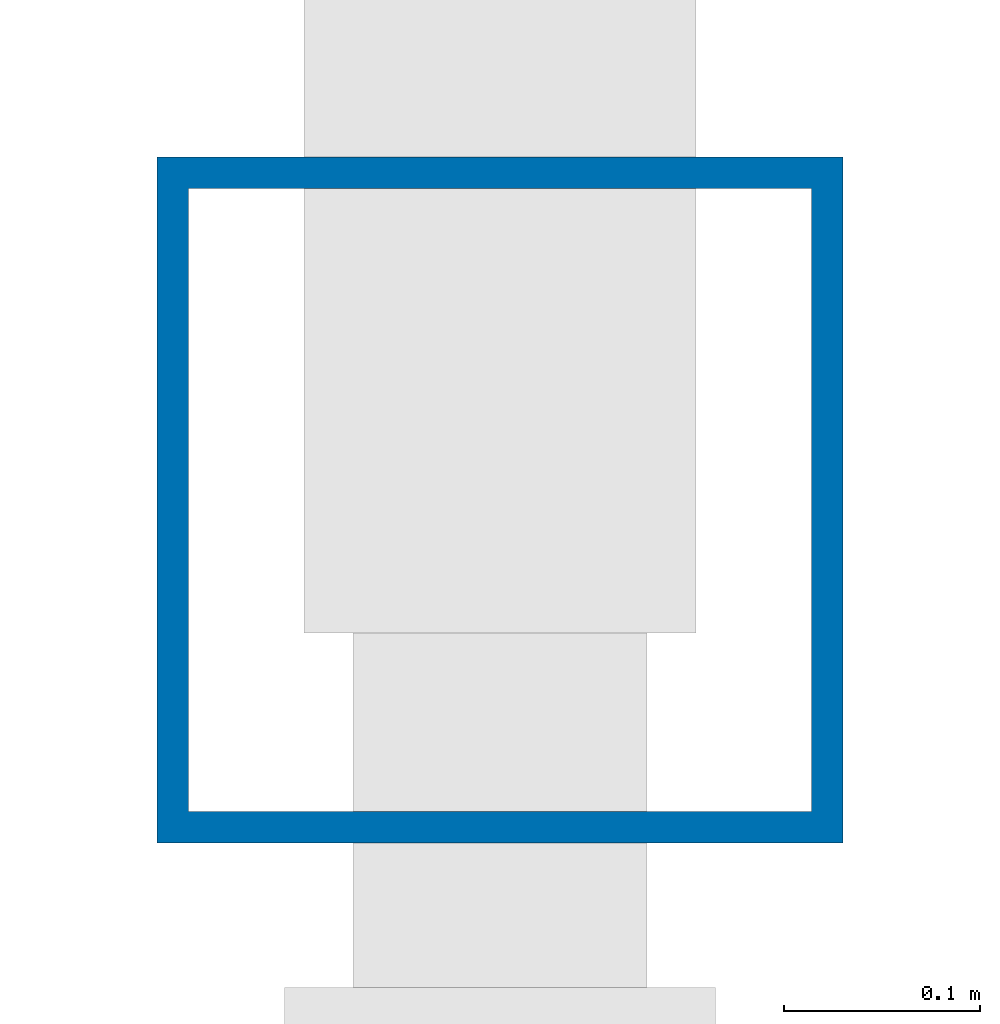
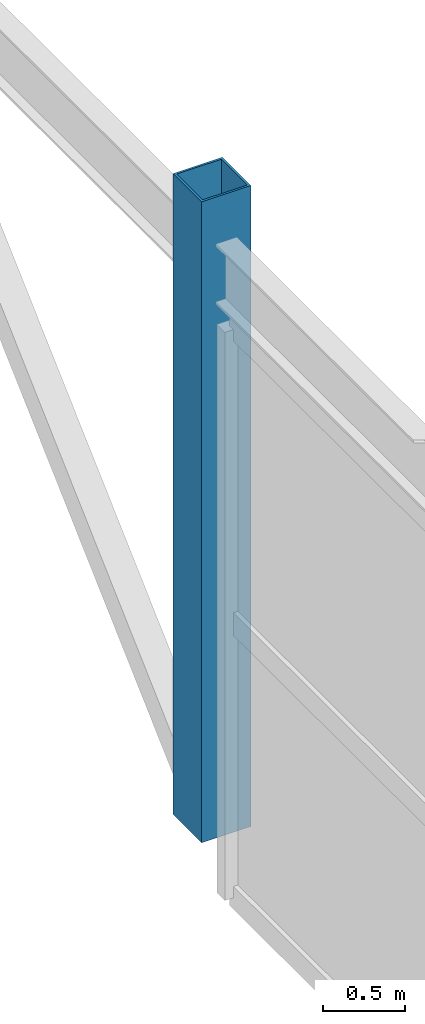
# One storey, part 9 of 74: 1 column.
"""IFC4 building model written with IfcOpenShell, lengths in metres."""

from ifc_helpers import new_model, si_unit, direction, frame, origin, origin_2d, place, context, subcontext, project, spatial, hollow_rectangle, extrude, material, material_profile, profile_set, type_object, element, save


model = new_model("IFC4")

# Units and contexts
model_context = context("Model", 3, precision=1e-05, world=origin(), true_north=direction((0.0, 1.0)))
body_context = subcontext(model_context, "Body", "Model", "MODEL_VIEW")
ifc_project = project(units=[si_unit("LENGTHUNIT", "METRE"), si_unit("AREAUNIT", "SQUARE_METRE"), si_unit("VOLUMEUNIT", "CUBIC_METRE"), si_unit("PLANEANGLEUNIT", "RADIAN"), si_unit("MASSUNIT", "GRAM", prefix="KILO")], contexts=[model_context])

# Site, building, storey
site_placement = place(None, origin())
site = spatial("IfcSite", under=ifc_project, at=site_placement, CompositionType="ELEMENT")
building_placement = place(site_placement, origin())
building = spatial("IfcBuilding", under=site, at=building_placement, Name="Suirenkawa Promenade Aquatics Centre", CompositionType="ELEMENT")
storey_placement = place(building_placement, frame((0.0, 0.0, 4.800048828125)))
storey = spatial("IfcBuildingStorey", under=building, at=storey_placement, Name="L01", CompositionType="ELEMENT", Elevation=4.800048828125)

# Column
ifc_material = material(Name="Steel IS 2062 E350 (Grade 350)", Category="steel")
ifc_material_profile = material_profile(ifc_material, hollow_rectangle(XDim=0.35009765625, YDim=0.35009765625, WallThickness=0.01611328125, at=origin_2d()), Name="SHS 350x350x16", Category="steel")
ifc_profile_set = profile_set([ifc_material_profile], Name="Steel IS 2062 E350 (Grade 350)")
column_type = type_object("IfcColumnType", Name="CT-STL-SHS350", PredefinedType="COLUMN", material=ifc_profile_set)
column_placement = place(storey_placement, frame((194.39990234375, 59.39990234375, 0.0), z_axis=(0.0, 0.0, 1.0), x_axis=(1.0, 0.0, 0.0)))
element("IfcColumn", 1, at=column_placement, inside=storey, type_object=column_type, Name="Column CL-15 COL-0630", PredefinedType="COLUMN", context=body_context, shape_type="SweptSolid", body=[
    extrude(hollow_rectangle(XDim=0.35009765625, YDim=0.35009765625, WallThickness=0.01611328125, at=origin_2d()), origin(), (0.0, 0.0, 1.0), 4.800048828125),
])

save(model, "model.ifc")
